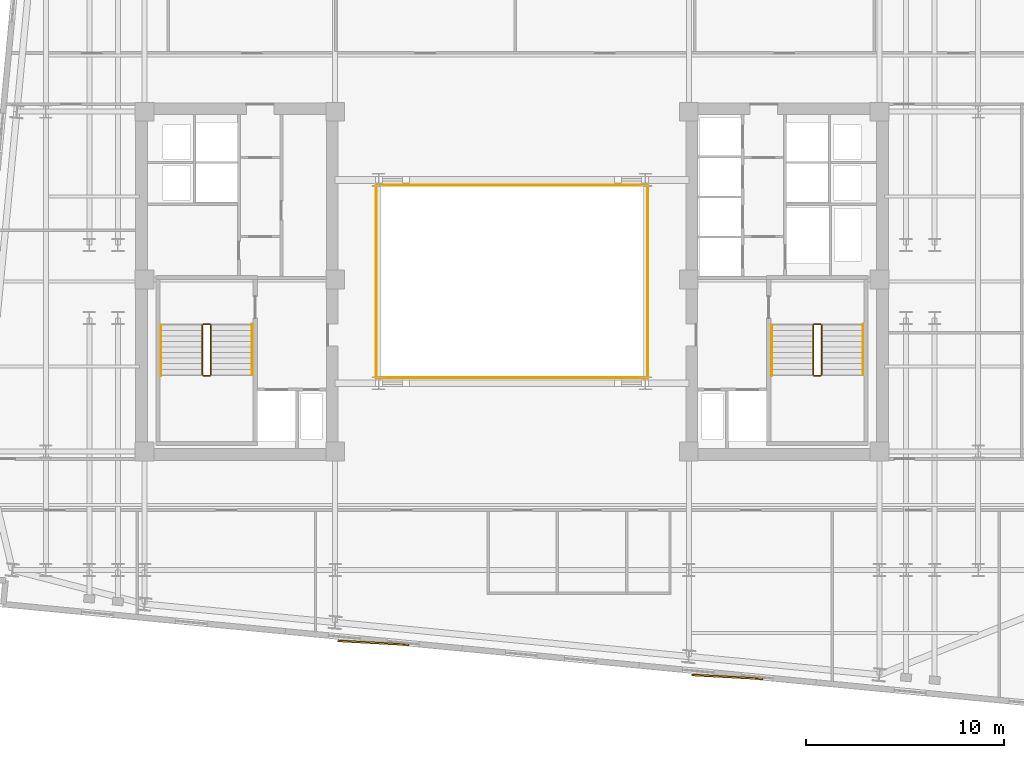
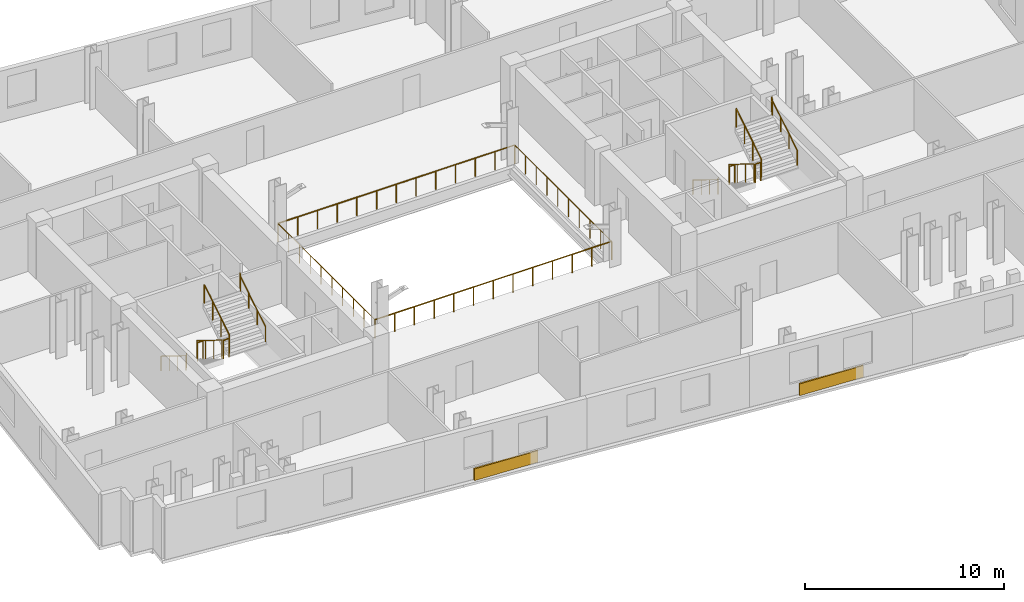
# One storey, part 8 of 9: 16 railings, 2 coverings.
"""IFC4 building model written with IfcOpenShell, lengths in metres."""

from ifc_helpers import new_model, si_unit, direction, frame, origin, origin_2d, place, context, subcontext, project, spatial, rectangle, circle, extrude, material, layer, layer_set, type_object, element, save


model = new_model("IFC4")

# Units and contexts
model_context = context("Model", 3, precision=1e-05, world=origin(), true_north=direction((0.0, 1.0)))
body_context = subcontext(model_context, "Body", "Model", "MODEL_VIEW")
ifc_project = project(units=[si_unit("LENGTHUNIT", "METRE"), si_unit("AREAUNIT", "SQUARE_METRE"), si_unit("VOLUMEUNIT", "CUBIC_METRE"), si_unit("PLANEANGLEUNIT", "RADIAN"), si_unit("MASSUNIT", "GRAM", prefix="KILO")], contexts=[model_context])

# Site, building, storey
site_placement = place(None, origin())
site = spatial("IfcSite", under=ifc_project, at=site_placement, CompositionType="ELEMENT")
building_placement = place(site_placement, origin())
building = spatial("IfcBuilding", under=site, at=building_placement, Name="Velakula Bourse", CompositionType="ELEMENT")
storey_placement = place(building_placement, frame((0.0, 0.0, 191.449951171875)))
storey = spatial("IfcBuildingStorey", under=building, at=storey_placement, Name="L52", CompositionType="ELEMENT", Elevation=191.449951171875)

# Coverings
ifc_material_1 = material(Name="Buff kilned clay facing brick masonry", Category="masonry")
ifc_layer = layer(ifc_material_1, 0.074951171875, Name="Buff kilned clay facing brick masonry", Category="masonry")
ifc_layer_set = layer_set([ifc_layer], Name="Buff kilned clay facing brick masonry")
covering_type = type_object("IfcCoveringType", Name="COV-BRK-SPN-75", PredefinedType="CLADDING", material=ifc_layer_set)
for number, where, z_axis, x_axis, name in (
    (1, (-7.01220703125, -18.288330078125, 0.0), (0.0, 0.0, 1.0), (0.998489097451, -0.054950179912, 0.0), "L52 Folded Brick Facade Cladding Panel S-B2"),
    (2, (10.905029296875, -20.013671875, 0.0), (0.0, 0.0, 1.0), (0.998489097451, -0.054950179912, 0.0), "L52 Folded Brick Facade Cladding Panel S-B4"),
):
    element("IfcCovering", number, at=place(storey_placement, frame(where, z_axis=z_axis, x_axis=x_axis)), inside=storey, type_object=covering_type, Name=name, PredefinedType="CLADDING", context=body_context, shape_type="SweptSolid", body=[
        extrude(rectangle(XDim=3.60009765625, YDim=0.090087890625, at=origin_2d()), origin(), (0.0, 0.0, 1.0), 0.719970703125),
    ])

# Railings
ifc_material_2 = material(Name="Brushed grade 316 stainless steel", Category="steel")
railing_type_1 = type_object("IfcRailingType", Name="RLG-ATRIUM-1150", PredefinedType="BALUSTRADE", material=ifc_material_2)
railing_1_placement = place(storey_placement, frame((-6.8798828125, -4.8798828125, 0.0)))
element("IfcRailing", 3, at=railing_1_placement, inside=storey, type_object=railing_type_1, Name="L52 Central Trading Atrium Balustrade S", PredefinedType="BALUSTRADE", context=body_context, shape_type="SweptSolid", body=[
    extrude(circle(Radius=0.02392578125, at=origin_2d()), frame((0.0, 0.0, 1.1259765625), z_axis=(1.0, 0.0, 0.0), x_axis=(0.0, 1.0, 0.0)), (0.0, 0.0, 1.0), 13.759765625),
    extrude(circle(Radius=0.02099609375, at=origin_2d()), origin(), (0.0, 0.0, 1.0), 1.101806640625),
    extrude(circle(Radius=0.02099609375, at=origin_2d()), frame((1.146728515625, 0.0, 0.0)), (0.0, 0.0, 1.0), 1.101806640625),
    extrude(circle(Radius=0.02099609375, at=origin_2d()), frame((2.293212890625, 0.0, 0.0)), (0.0, 0.0, 1.0), 1.101806640625),
    extrude(circle(Radius=0.02099609375, at=origin_2d()), frame((3.43994140625, 0.0, 0.0)), (0.0, 0.0, 1.0), 1.101806640625),
    extrude(circle(Radius=0.02099609375, at=origin_2d()), frame((4.586669921875, 0.0, 0.0)), (0.0, 0.0, 1.0), 1.101806640625),
    extrude(circle(Radius=0.02099609375, at=origin_2d()), frame((5.733154296875, 0.0, 0.0)), (0.0, 0.0, 1.0), 1.101806640625),
    extrude(circle(Radius=0.02099609375, at=origin_2d()), frame((6.8798828125, 0.0, 0.0)), (0.0, 0.0, 1.0), 1.101806640625),
    extrude(circle(Radius=0.02099609375, at=origin_2d()), frame((8.026611328125, 0.0, 0.0)), (0.0, 0.0, 1.0), 1.101806640625),
    extrude(circle(Radius=0.02099609375, at=origin_2d()), frame((9.173095703125, 0.0, 0.0)), (0.0, 0.0, 1.0), 1.101806640625),
    extrude(circle(Radius=0.02099609375, at=origin_2d()), frame((10.31982421875, 0.0, 0.0)), (0.0, 0.0, 1.0), 1.101806640625),
    extrude(circle(Radius=0.02099609375, at=origin_2d()), frame((11.466552734375, 0.0, 0.0)), (0.0, 0.0, 1.0), 1.101806640625),
    extrude(circle(Radius=0.02099609375, at=origin_2d()), frame((12.613037109375, 0.0, 0.0)), (0.0, 0.0, 1.0), 1.101806640625),
    extrude(circle(Radius=0.02099609375, at=origin_2d()), frame((13.759765625, 0.0, 0.0)), (0.0, 0.0, 1.0), 1.101806640625),
])
railing_2_placement = place(storey_placement, frame((6.8798828125, -4.8798828125, 0.0)))
element("IfcRailing", 4, at=railing_2_placement, inside=storey, type_object=railing_type_1, Name="L52 Central Trading Atrium Balustrade E", PredefinedType="BALUSTRADE", context=body_context, shape_type="SweptSolid", body=[
    extrude(circle(Radius=0.02392578125, at=origin_2d()), frame((0.0, 0.0, 1.1259765625), z_axis=(0.0, 1.0, 0.0), x_axis=(-1.0, 0.0, 0.0)), (0.0, 0.0, 1.0), 9.759765625),
    extrude(circle(Radius=0.02099609375, at=origin_2d()), origin(), (0.0, 0.0, 1.0), 1.101806640625),
    extrude(circle(Radius=0.02099609375, at=origin_2d()), frame((0.0, 1.08447265625, 0.0)), (0.0, 0.0, 1.0), 1.101806640625),
    extrude(circle(Radius=0.02099609375, at=origin_2d()), frame((0.0, 2.1689453125, 0.0)), (0.0, 0.0, 1.0), 1.101806640625),
    extrude(circle(Radius=0.02099609375, at=origin_2d()), frame((0.0, 3.253173828125, 0.0)), (0.0, 0.0, 1.0), 1.101806640625),
    extrude(circle(Radius=0.02099609375, at=origin_2d()), frame((0.0, 4.337646484375, 0.0)), (0.0, 0.0, 1.0), 1.101806640625),
    extrude(circle(Radius=0.02099609375, at=origin_2d()), frame((0.0, 5.422119140625, 0.0)), (0.0, 0.0, 1.0), 1.101806640625),
    extrude(circle(Radius=0.02099609375, at=origin_2d()), frame((0.0, 6.506591796875, 0.0)), (0.0, 0.0, 1.0), 1.101806640625),
    extrude(circle(Radius=0.02099609375, at=origin_2d()), frame((0.0, 7.5908203125, 0.0)), (0.0, 0.0, 1.0), 1.101806640625),
    extrude(circle(Radius=0.02099609375, at=origin_2d()), frame((0.0, 8.67529296875, 0.0)), (0.0, 0.0, 1.0), 1.101806640625),
    extrude(circle(Radius=0.02099609375, at=origin_2d()), frame((0.0, 9.759765625, 0.0)), (0.0, 0.0, 1.0), 1.101806640625),
])
railing_3_placement = place(storey_placement, frame((6.8798828125, 4.8798828125, 0.0)))
element("IfcRailing", 5, at=railing_3_placement, inside=storey, type_object=railing_type_1, Name="L52 Central Trading Atrium Balustrade N", PredefinedType="BALUSTRADE", context=body_context, shape_type="SweptSolid", body=[
    extrude(circle(Radius=0.02392578125, at=origin_2d()), frame((0.0, 0.0, 1.1259765625), z_axis=(-1.0, 0.0, 0.0), x_axis=(0.0, -1.0, 0.0)), (0.0, 0.0, 1.0), 13.759765625),
    extrude(circle(Radius=0.02099609375, at=origin_2d()), origin(), (0.0, 0.0, 1.0), 1.101806640625),
    extrude(circle(Radius=0.02099609375, at=origin_2d()), frame((-1.146728515625, 0.0, 0.0)), (0.0, 0.0, 1.0), 1.101806640625),
    extrude(circle(Radius=0.02099609375, at=origin_2d()), frame((-2.293212890625, 0.0, 0.0)), (0.0, 0.0, 1.0), 1.101806640625),
    extrude(circle(Radius=0.02099609375, at=origin_2d()), frame((-3.43994140625, 0.0, 0.0)), (0.0, 0.0, 1.0), 1.101806640625),
    extrude(circle(Radius=0.02099609375, at=origin_2d()), frame((-4.586669921875, 0.0, 0.0)), (0.0, 0.0, 1.0), 1.101806640625),
    extrude(circle(Radius=0.02099609375, at=origin_2d()), frame((-5.733154296875, 0.0, 0.0)), (0.0, 0.0, 1.0), 1.101806640625),
    extrude(circle(Radius=0.02099609375, at=origin_2d()), frame((-6.8798828125, 0.0, 0.0)), (0.0, 0.0, 1.0), 1.101806640625),
    extrude(circle(Radius=0.02099609375, at=origin_2d()), frame((-8.026611328125, 0.0, 0.0)), (0.0, 0.0, 1.0), 1.101806640625),
    extrude(circle(Radius=0.02099609375, at=origin_2d()), frame((-9.173095703125, 0.0, 0.0)), (0.0, 0.0, 1.0), 1.101806640625),
    extrude(circle(Radius=0.02099609375, at=origin_2d()), frame((-10.31982421875, 0.0, 0.0)), (0.0, 0.0, 1.0), 1.101806640625),
    extrude(circle(Radius=0.02099609375, at=origin_2d()), frame((-11.466552734375, 0.0, 0.0)), (0.0, 0.0, 1.0), 1.101806640625),
    extrude(circle(Radius=0.02099609375, at=origin_2d()), frame((-12.613037109375, 0.0, 0.0)), (0.0, 0.0, 1.0), 1.101806640625),
    extrude(circle(Radius=0.02099609375, at=origin_2d()), frame((-13.759765625, 0.0, 0.0)), (0.0, 0.0, 1.0), 1.101806640625),
])
railing_4_placement = place(storey_placement, frame((-6.8798828125, 4.8798828125, 0.0)))
element("IfcRailing", 6, at=railing_4_placement, inside=storey, type_object=railing_type_1, Name="L52 Central Trading Atrium Balustrade W", PredefinedType="BALUSTRADE", context=body_context, shape_type="SweptSolid", body=[
    extrude(circle(Radius=0.02392578125, at=origin_2d()), frame((0.0, 0.0, 1.1259765625), z_axis=(0.0, -1.0, 0.0), x_axis=(1.0, 0.0, 0.0)), (0.0, 0.0, 1.0), 9.759765625),
    extrude(circle(Radius=0.02099609375, at=origin_2d()), origin(), (0.0, 0.0, 1.0), 1.101806640625),
    extrude(circle(Radius=0.02099609375, at=origin_2d()), frame((0.0, -1.08447265625, 0.0)), (0.0, 0.0, 1.0), 1.101806640625),
    extrude(circle(Radius=0.02099609375, at=origin_2d()), frame((0.0, -2.1689453125, 0.0)), (0.0, 0.0, 1.0), 1.101806640625),
    extrude(circle(Radius=0.02099609375, at=origin_2d()), frame((0.0, -3.253173828125, 0.0)), (0.0, 0.0, 1.0), 1.101806640625),
    extrude(circle(Radius=0.02099609375, at=origin_2d()), frame((0.0, -4.337646484375, 0.0)), (0.0, 0.0, 1.0), 1.101806640625),
    extrude(circle(Radius=0.02099609375, at=origin_2d()), frame((0.0, -5.422119140625, 0.0)), (0.0, 0.0, 1.0), 1.101806640625),
    extrude(circle(Radius=0.02099609375, at=origin_2d()), frame((0.0, -6.506591796875, 0.0)), (0.0, 0.0, 1.0), 1.101806640625),
    extrude(circle(Radius=0.02099609375, at=origin_2d()), frame((0.0, -7.5908203125, 0.0)), (0.0, 0.0, 1.0), 1.101806640625),
    extrude(circle(Radius=0.02099609375, at=origin_2d()), frame((0.0, -8.67529296875, 0.0)), (0.0, 0.0, 1.0), 1.101806640625),
    extrude(circle(Radius=0.02099609375, at=origin_2d()), frame((0.0, -9.759765625, 0.0)), (0.0, 0.0, 1.0), 1.101806640625),
])
railing_type_2 = type_object("IfcRailingType", Name="RLG-STAIR-GUARD-1150", PredefinedType="BALUSTRADE", material=ifc_material_2)
railing_5_placement = place(storey_placement, frame((-15.672119140625, -2.199951171875, 0.172607421875)))
element("IfcRailing", 7, at=railing_5_placement, inside=storey, type_object=railing_type_2, Name="L52 ST-W1 stair guard 1", PredefinedType="BALUSTRADE", context=body_context, shape_type="SweptSolid", body=[
    extrude(circle(Radius=0.02490234375, at=origin_2d()), frame((0.0, 0.0, 1.125), z_axis=(0.0, -0.851400495292, 0.524516154772), x_axis=(1.0, 0.0, 0.0)), (0.0, 0.0, 1.0), 2.9599609375),
    extrude(circle(Radius=0.02099609375, at=origin_2d()), origin(), (0.0, 0.0, 1.0), 1.099853515625),
    extrude(circle(Radius=0.02099609375, at=origin_2d()), frame((0.0, -0.840087890625, 0.517578125)), (0.0, 0.0, 1.0), 1.099853515625),
    extrude(circle(Radius=0.02099609375, at=origin_2d()), frame((0.0, -1.679931640625, 1.034912109375)), (0.0, 0.0, 1.0), 1.099853515625),
    extrude(circle(Radius=0.02099609375, at=origin_2d()), frame((0.0, -2.52001953125, 1.552490234375)), (0.0, 0.0, 1.0), 1.099853515625),
])
railing_6_placement = place(storey_placement, frame((-15.6220703125, -4.77001953125, 1.72509765625)))
element("IfcRailing", 8, at=railing_6_placement, inside=storey, type_object=railing_type_2, Name="L52 ST-W1 stair guard 2", PredefinedType="BALUSTRADE", context=body_context, shape_type="SweptSolid", body=[
    extrude(circle(Radius=0.02490234375, at=origin_2d()), frame((0.0, 0.0, 1.125), z_axis=(1.0, 0.0, 0.0), x_axis=(0.0, 1.0, 0.0)), (0.0, 0.0, 1.0), 0.323974609375),
    extrude(circle(Radius=0.02099609375, at=origin_2d()), origin(), (0.0, 0.0, 1.0), 1.099853515625),
    extrude(circle(Radius=0.02099609375, at=origin_2d()), frame((0.323974609375, 0.0, 0.0)), (0.0, 0.0, 1.0), 1.099853515625),
])
railing_7_placement = place(storey_placement, frame((-15.248046875, -4.719970703125, 1.8974609375)))
element("IfcRailing", 9, at=railing_7_placement, inside=storey, type_object=railing_type_2, Name="L52 ST-W1 stair guard 3", PredefinedType="BALUSTRADE", context=body_context, shape_type="SweptSolid", body=[
    extrude(circle(Radius=0.02490234375, at=origin_2d()), frame((0.0, 0.0, 1.125), z_axis=(0.0, 0.851400495292, 0.524516154772), x_axis=(-1.0, 0.0, 0.0)), (0.0, 0.0, 1.0), 2.9599609375),
    extrude(circle(Radius=0.02099609375, at=origin_2d()), origin(), (0.0, 0.0, 1.0), 1.099853515625),
    extrude(circle(Radius=0.02099609375, at=origin_2d()), frame((0.0, 0.840087890625, 0.517578125)), (0.0, 0.0, 1.0), 1.099853515625),
    extrude(circle(Radius=0.02099609375, at=origin_2d()), frame((0.0, 1.679931640625, 1.034912109375)), (0.0, 0.0, 1.0), 1.099853515625),
    extrude(circle(Radius=0.02099609375, at=origin_2d()), frame((0.0, 2.52001953125, 1.552490234375)), (0.0, 0.0, 1.0), 1.099853515625),
])
railing_8_placement = place(storey_placement, frame((-15.6220703125, -2.14990234375, 0.0)))
element("IfcRailing", 10, at=railing_8_placement, inside=storey, type_object=railing_type_2, Name="L52 ST-W1 stair guard 4", PredefinedType="BALUSTRADE", context=body_context, shape_type="SweptSolid", body=[
    extrude(circle(Radius=0.02490234375, at=origin_2d()), frame((0.0, 0.0, 1.125), z_axis=(1.0, 0.0, 0.0), x_axis=(0.0, 1.0, 0.0)), (0.0, 0.0, 1.0), 0.323974609375),
    extrude(circle(Radius=0.02099609375, at=origin_2d()), origin(), (0.0, 0.0, 1.0), 1.099853515625),
    extrude(circle(Radius=0.02099609375, at=origin_2d()), frame((0.323974609375, 0.0, 0.0)), (0.0, 0.0, 1.0), 1.099853515625),
])
railing_9_placement = place(storey_placement, frame((15.248046875, -2.199951171875, 0.172607421875)))
element("IfcRailing", 11, at=railing_9_placement, inside=storey, type_object=railing_type_2, Name="L52 ST-E1 stair guard 1", PredefinedType="BALUSTRADE", context=body_context, shape_type="SweptSolid", body=[
    extrude(circle(Radius=0.02490234375, at=origin_2d()), frame((0.0, 0.0, 1.125), z_axis=(0.0, -0.851400495292, 0.524516154772), x_axis=(1.0, 0.0, 0.0)), (0.0, 0.0, 1.0), 2.9599609375),
    extrude(circle(Radius=0.02099609375, at=origin_2d()), origin(), (0.0, 0.0, 1.0), 1.099853515625),
    extrude(circle(Radius=0.02099609375, at=origin_2d()), frame((0.0, -0.840087890625, 0.517578125)), (0.0, 0.0, 1.0), 1.099853515625),
    extrude(circle(Radius=0.02099609375, at=origin_2d()), frame((0.0, -1.679931640625, 1.034912109375)), (0.0, 0.0, 1.0), 1.099853515625),
    extrude(circle(Radius=0.02099609375, at=origin_2d()), frame((0.0, -2.52001953125, 1.552490234375)), (0.0, 0.0, 1.0), 1.099853515625),
])
railing_10_placement = place(storey_placement, frame((15.298095703125, -4.77001953125, 1.72509765625)))
element("IfcRailing", 12, at=railing_10_placement, inside=storey, type_object=railing_type_2, Name="L52 ST-E1 stair guard 2", PredefinedType="BALUSTRADE", context=body_context, shape_type="SweptSolid", body=[
    extrude(circle(Radius=0.02490234375, at=origin_2d()), frame((0.0, 0.0, 1.125), z_axis=(1.0, 0.0, 0.0), x_axis=(0.0, 1.0, 0.0)), (0.0, 0.0, 1.0), 0.323974609375),
    extrude(circle(Radius=0.02099609375, at=origin_2d()), origin(), (0.0, 0.0, 1.0), 1.099853515625),
    extrude(circle(Radius=0.02099609375, at=origin_2d()), frame((0.323974609375, 0.0, 0.0)), (0.0, 0.0, 1.0), 1.099853515625),
])
railing_11_placement = place(storey_placement, frame((15.672119140625, -4.719970703125, 1.8974609375)))
element("IfcRailing", 13, at=railing_11_placement, inside=storey, type_object=railing_type_2, Name="L52 ST-E1 stair guard 3", PredefinedType="BALUSTRADE", context=body_context, shape_type="SweptSolid", body=[
    extrude(circle(Radius=0.02490234375, at=origin_2d()), frame((0.0, 0.0, 1.125), z_axis=(0.0, 0.851400495292, 0.524516154772), x_axis=(-1.0, 0.0, 0.0)), (0.0, 0.0, 1.0), 2.9599609375),
    extrude(circle(Radius=0.02099609375, at=origin_2d()), origin(), (0.0, 0.0, 1.0), 1.099853515625),
    extrude(circle(Radius=0.02099609375, at=origin_2d()), frame((0.0, 0.840087890625, 0.517578125)), (0.0, 0.0, 1.0), 1.099853515625),
    extrude(circle(Radius=0.02099609375, at=origin_2d()), frame((0.0, 1.679931640625, 1.034912109375)), (0.0, 0.0, 1.0), 1.099853515625),
    extrude(circle(Radius=0.02099609375, at=origin_2d()), frame((0.0, 2.52001953125, 1.552490234375)), (0.0, 0.0, 1.0), 1.099853515625),
])
railing_12_placement = place(storey_placement, frame((15.298095703125, -2.14990234375, 0.0)))
element("IfcRailing", 14, at=railing_12_placement, inside=storey, type_object=railing_type_2, Name="L52 ST-E1 stair guard 4", PredefinedType="BALUSTRADE", context=body_context, shape_type="SweptSolid", body=[
    extrude(circle(Radius=0.02490234375, at=origin_2d()), frame((0.0, 0.0, 1.125), z_axis=(1.0, 0.0, 0.0), x_axis=(0.0, 1.0, 0.0)), (0.0, 0.0, 1.0), 0.323974609375),
    extrude(circle(Radius=0.02099609375, at=origin_2d()), origin(), (0.0, 0.0, 1.0), 1.099853515625),
    extrude(circle(Radius=0.02099609375, at=origin_2d()), frame((0.323974609375, 0.0, 0.0)), (0.0, 0.0, 1.0), 1.099853515625),
])
railing_type_3 = type_object("IfcRailingType", Name="RLG-STAIR-HAND-920", PredefinedType="HANDRAIL", material=ifc_material_2)
railing_13_placement = place(storey_placement, frame((-17.77001953125, -2.199951171875, 0.172607421875)))
element("IfcRailing", 15, at=railing_13_placement, inside=storey, type_object=railing_type_3, Name="L52 ST-W1 stair handrail 1", PredefinedType="HANDRAIL", context=body_context, shape_type="SweptSolid", body=[
    extrude(circle(Radius=0.02099609375, at=origin_2d()), frame((0.0, 0.0, 0.89892578125), z_axis=(0.0, -0.851400495292, 0.524516154772), x_axis=(1.0, 0.0, 0.0)), (0.0, 0.0, 1.0), 2.9599609375),
    extrude(circle(Radius=0.02099609375, at=origin_2d()), frame((0.0, -2.52001953125, 2.451416015625), z_axis=(0.0, -0.226269970362, 0.974064628509), x_axis=(1.0, 0.0, 0.0)), (0.0, 0.0, 1.0), 0.177001953125),
    extrude(circle(Radius=0.02099609375, at=origin_2d()), frame((0.0, -2.56005859375, 2.623779296875), z_axis=(0.0, -1.0, 0.0), x_axis=(1.0, 0.0, 0.0)), (0.0, 0.0, 1.0), 0.0048828125),
    extrude(circle(Radius=0.02099609375, at=origin_2d()), origin(), (0.0, 0.0, 1.0), 0.8779296875),
    extrude(circle(Radius=0.02099609375, at=origin_2d()), frame((0.0, -0.840087890625, 0.517578125)), (0.0, 0.0, 1.0), 0.8779296875),
    extrude(circle(Radius=0.02099609375, at=origin_2d()), frame((0.0, -1.679931640625, 1.034912109375)), (0.0, 0.0, 1.0), 0.8779296875),
    extrude(circle(Radius=0.02099609375, at=origin_2d()), frame((0.0, -2.52001953125, 1.552490234375)), (0.0, 0.0, 1.0), 0.8779296875),
    extrude(circle(Radius=0.02099609375, at=origin_2d()), frame((0.0, -2.56005859375, 1.724853515625)), (0.0, 0.0, 1.0), 0.8779296875),
    extrude(circle(Radius=0.02099609375, at=origin_2d()), frame((0.0, -2.56494140625, 1.724853515625)), (0.0, 0.0, 1.0), 0.8779296875),
])
railing_14_placement = place(storey_placement, frame((-13.14990234375, -4.719970703125, 1.8974609375)))
element("IfcRailing", 16, at=railing_14_placement, inside=storey, type_object=railing_type_3, Name="L52 ST-W1 stair handrail 2", PredefinedType="HANDRAIL", context=body_context, shape_type="SweptSolid", body=[
    extrude(circle(Radius=0.02099609375, at=origin_2d()), frame((0.0, 0.0, 0.89892578125), z_axis=(0.0, 0.851400495292, 0.524516154772), x_axis=(-1.0, 0.0, 0.0)), (0.0, 0.0, 1.0), 2.9599609375),
    extrude(circle(Radius=0.02099609375, at=origin_2d()), frame((0.0, 2.52001953125, 2.451416015625), z_axis=(0.0, 0.22596628056, 0.974135124123), x_axis=(-1.0, 0.0, 0.0)), (0.0, 0.0, 1.0), 0.17724609375),
    extrude(circle(Radius=0.02099609375, at=origin_2d()), frame((0.0, 2.56005859375, 2.6240234375), z_axis=(0.0, 1.0, 0.0), x_axis=(-1.0, 0.0, 0.0)), (0.0, 0.0, 1.0), 0.0048828125),
    extrude(circle(Radius=0.02099609375, at=origin_2d()), origin(), (0.0, 0.0, 1.0), 0.8779296875),
    extrude(circle(Radius=0.02099609375, at=origin_2d()), frame((0.0, 0.840087890625, 0.517578125)), (0.0, 0.0, 1.0), 0.8779296875),
    extrude(circle(Radius=0.02099609375, at=origin_2d()), frame((0.0, 1.679931640625, 1.034912109375)), (0.0, 0.0, 1.0), 0.8779296875),
    extrude(circle(Radius=0.02099609375, at=origin_2d()), frame((0.0, 2.52001953125, 1.552490234375)), (0.0, 0.0, 1.0), 0.8779296875),
    extrude(circle(Radius=0.02099609375, at=origin_2d()), frame((0.0, 2.56005859375, 1.72509765625)), (0.0, 0.0, 1.0), 0.8779296875),
    extrude(circle(Radius=0.02099609375, at=origin_2d()), frame((0.0, 2.56494140625, 1.72509765625)), (0.0, 0.0, 1.0), 0.8779296875),
])
railing_15_placement = place(storey_placement, frame((13.14990234375, -2.199951171875, 0.172607421875)))
element("IfcRailing", 17, at=railing_15_placement, inside=storey, type_object=railing_type_3, Name="L52 ST-E1 stair handrail 1", PredefinedType="HANDRAIL", context=body_context, shape_type="SweptSolid", body=[
    extrude(circle(Radius=0.02099609375, at=origin_2d()), frame((0.0, 0.0, 0.89892578125), z_axis=(0.0, -0.851400495292, 0.524516154772), x_axis=(1.0, 0.0, 0.0)), (0.0, 0.0, 1.0), 2.9599609375),
    extrude(circle(Radius=0.02099609375, at=origin_2d()), frame((0.0, -2.52001953125, 2.451416015625), z_axis=(0.0, -0.226269970362, 0.974064628509), x_axis=(1.0, 0.0, 0.0)), (0.0, 0.0, 1.0), 0.177001953125),
    extrude(circle(Radius=0.02099609375, at=origin_2d()), frame((0.0, -2.56005859375, 2.623779296875), z_axis=(0.0, -1.0, 0.0), x_axis=(1.0, 0.0, 0.0)), (0.0, 0.0, 1.0), 0.0048828125),
    extrude(circle(Radius=0.02099609375, at=origin_2d()), origin(), (0.0, 0.0, 1.0), 0.8779296875),
    extrude(circle(Radius=0.02099609375, at=origin_2d()), frame((0.0, -0.840087890625, 0.517578125)), (0.0, 0.0, 1.0), 0.8779296875),
    extrude(circle(Radius=0.02099609375, at=origin_2d()), frame((0.0, -1.679931640625, 1.034912109375)), (0.0, 0.0, 1.0), 0.8779296875),
    extrude(circle(Radius=0.02099609375, at=origin_2d()), frame((0.0, -2.52001953125, 1.552490234375)), (0.0, 0.0, 1.0), 0.8779296875),
    extrude(circle(Radius=0.02099609375, at=origin_2d()), frame((0.0, -2.56005859375, 1.724853515625)), (0.0, 0.0, 1.0), 0.8779296875),
    extrude(circle(Radius=0.02099609375, at=origin_2d()), frame((0.0, -2.56494140625, 1.724853515625)), (0.0, 0.0, 1.0), 0.8779296875),
])
railing_16_placement = place(storey_placement, frame((17.77001953125, -4.719970703125, 1.8974609375)))
element("IfcRailing", 18, at=railing_16_placement, inside=storey, type_object=railing_type_3, Name="L52 ST-E1 stair handrail 2", PredefinedType="HANDRAIL", context=body_context, shape_type="SweptSolid", body=[
    extrude(circle(Radius=0.02099609375, at=origin_2d()), frame((0.0, 0.0, 0.89892578125), z_axis=(0.0, 0.851400495292, 0.524516154772), x_axis=(-1.0, 0.0, 0.0)), (0.0, 0.0, 1.0), 2.9599609375),
    extrude(circle(Radius=0.02099609375, at=origin_2d()), frame((0.0, 2.52001953125, 2.451416015625), z_axis=(0.0, 0.22596628056, 0.974135124123), x_axis=(-1.0, 0.0, 0.0)), (0.0, 0.0, 1.0), 0.17724609375),
    extrude(circle(Radius=0.02099609375, at=origin_2d()), frame((0.0, 2.56005859375, 2.6240234375), z_axis=(0.0, 1.0, 0.0), x_axis=(-1.0, 0.0, 0.0)), (0.0, 0.0, 1.0), 0.0048828125),
    extrude(circle(Radius=0.02099609375, at=origin_2d()), origin(), (0.0, 0.0, 1.0), 0.8779296875),
    extrude(circle(Radius=0.02099609375, at=origin_2d()), frame((0.0, 0.840087890625, 0.517578125)), (0.0, 0.0, 1.0), 0.8779296875),
    extrude(circle(Radius=0.02099609375, at=origin_2d()), frame((0.0, 1.679931640625, 1.034912109375)), (0.0, 0.0, 1.0), 0.8779296875),
    extrude(circle(Radius=0.02099609375, at=origin_2d()), frame((0.0, 2.52001953125, 1.552490234375)), (0.0, 0.0, 1.0), 0.8779296875),
    extrude(circle(Radius=0.02099609375, at=origin_2d()), frame((0.0, 2.56005859375, 1.72509765625)), (0.0, 0.0, 1.0), 0.8779296875),
    extrude(circle(Radius=0.02099609375, at=origin_2d()), frame((0.0, 2.56494140625, 1.72509765625)), (0.0, 0.0, 1.0), 0.8779296875),
])

save(model, "model.ifc")
